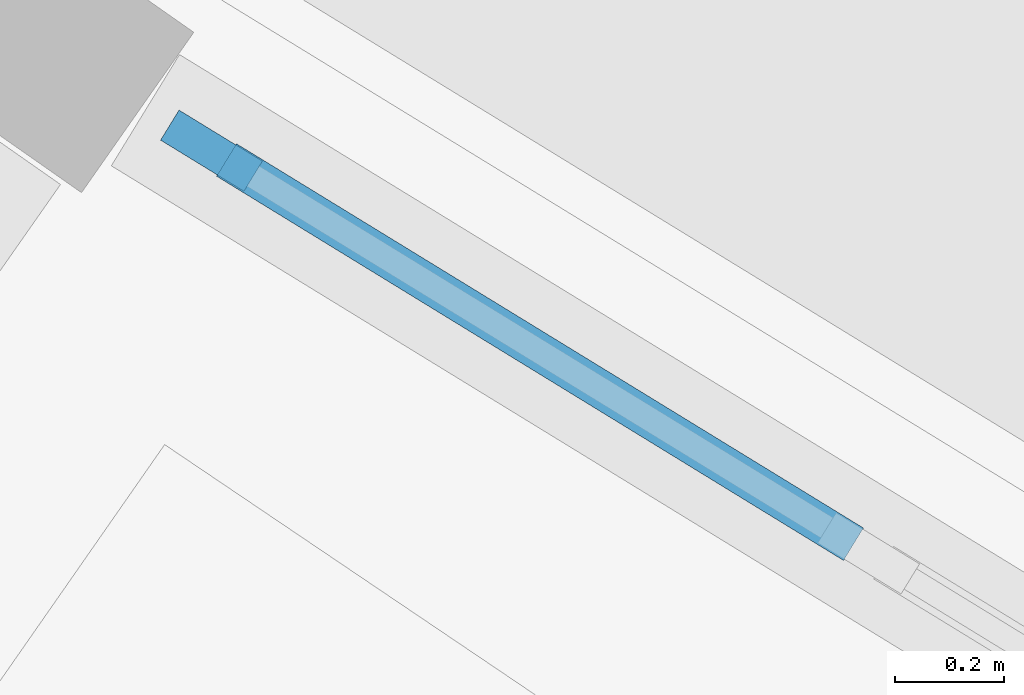
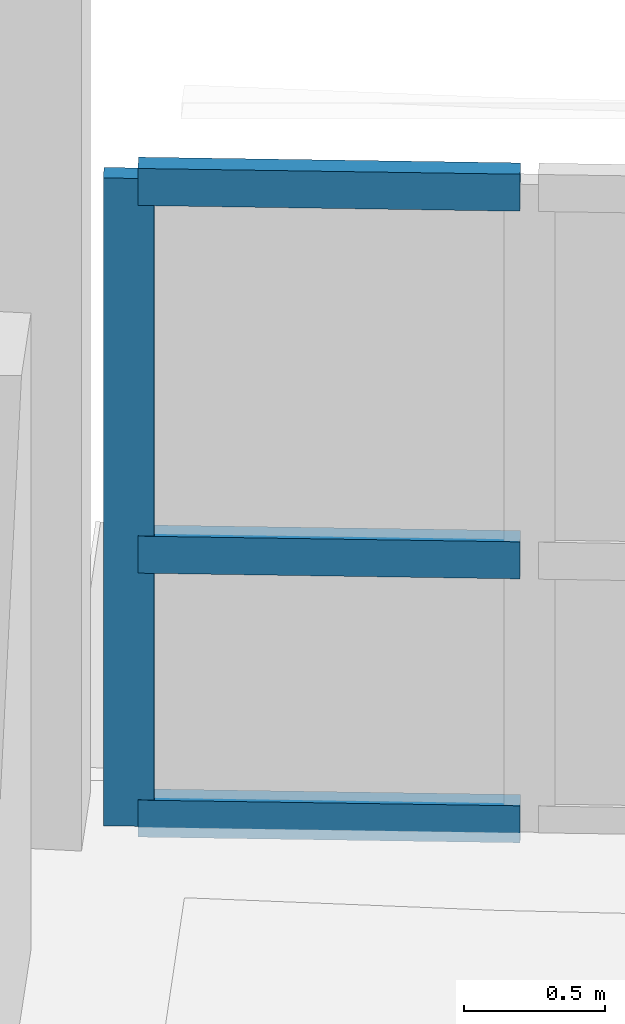
# One storey, part 14 of 36: 4 members, 1 element without a shape of its own.
"""IFC4 building model written with IfcOpenShell, lengths in metres."""

from ifc_helpers import new_model, si_unit, direction, frame, origin, origin_2d, place, context, subcontext, project, spatial, rectangle, extrude, material, layer, layer_set, material_profile, profile_set, type_object, element, aggregate, save


model = new_model("IFC4")

# Units and contexts
model_context = context("Model", 3, precision=1e-05, world=origin(), true_north=direction((0.0, 1.0)))
body_context = subcontext(model_context, "Body", "Model", "MODEL_VIEW")
ifc_project = project(units=[si_unit("LENGTHUNIT", "METRE"), si_unit("AREAUNIT", "SQUARE_METRE"), si_unit("VOLUMEUNIT", "CUBIC_METRE"), si_unit("PLANEANGLEUNIT", "RADIAN"), si_unit("MASSUNIT", "GRAM", prefix="KILO")], contexts=[model_context])

# Site, building, storey
site_placement = place(None, origin())
site = spatial("IfcSite", under=ifc_project, at=site_placement, CompositionType="ELEMENT")
building_placement = place(site_placement, origin())
building = spatial("IfcBuilding", under=site, at=building_placement, Name="Caldaven Crescent School", CompositionType="ELEMENT")
storey_placement = place(building_placement, frame((0.0, 0.0, 11.89990234375)))
storey = spatial("IfcBuildingStorey", under=building, at=storey_placement, Name="L03", CompositionType="ELEMENT", Elevation=11.89990234375)

# Curtain wall, members
ifc_material_1 = material(Name="Anodised aluminium AA 6063-T6 and low-E double glazing", Category="aluminium")
ifc_layer = layer(ifc_material_1, 0.169921875)
ifc_layer_set = layer_set([ifc_layer], Name="Anodised aluminium AA 6063-T6 and low-E double glazing")
curtain_wall_type = type_object("IfcCurtainWallType", Name="CW-SYS1", PredefinedType="NOTDEFINED", material=ifc_layer_set)
curtain_wall_placement = place(storey_placement, origin())
curtain_wall = element("IfcCurtainWall", 1, at=curtain_wall_placement, inside=storey, type_object=curtain_wall_type, Name="CW-L03-153", PredefinedType="NOTDEFINED")
ifc_material_2 = material(Name="Anodised aluminium AA 6063-T6", Category="aluminium")
ifc_material_profile_1 = material_profile(ifc_material_2, rectangle(XDim=0.06494140625, YDim=0.179931640625, at=origin_2d()), Name="CWM 65x180")
ifc_profile_set_1 = profile_set([ifc_material_profile_1], Name="Anodised aluminium AA 6063-T6")
member_type_1 = type_object("IfcMemberType", Name="CWM-T2", PredefinedType="MULLION", material=ifc_profile_set_1)
member_1_placement = place(storey_placement, frame((58.199462890625, 52.86181640625, 0.0), z_axis=(0.0, 0.0, 1.0), x_axis=(0.522499392879, 0.852639656854, 0.0)))
member_1 = element("IfcMember", 2, at=member_1_placement, type_object=member_type_1, Name="CW1 mullion 1", PredefinedType="MULLION", context=body_context, shape_type="SweptSolid", body=[
    extrude(rectangle(XDim=0.06494140625, YDim=0.179931640625, at=origin_2d()), origin(), (0.0, 0.0, 1.0), 2.800048828125),
])
ifc_material_profile_2 = material_profile(ifc_material_2, rectangle(XDim=0.070068359375, YDim=0.159912109375, at=origin_2d()), Name="CWT 70x160")
ifc_profile_set_2 = profile_set([ifc_material_profile_2], Name="Anodised aluminium AA 6063-T6")
member_type_2 = type_object("IfcMemberType", Name="CWT-T3", PredefinedType="USERDEFINED", material=ifc_profile_set_2)
member_2_placement = place(storey_placement, frame((58.22705078125, 52.8447265625, 0.03515625), z_axis=(0.852616806019, -0.522536680143, 0.0), x_axis=(0.522536680143, 0.852616806019, 0.0)))
member_2 = element("IfcMember", 3, at=member_2_placement, type_object=member_type_2, Name="CW1 transom 1.1", ObjectType="TRANSOM", PredefinedType="USERDEFINED", context=body_context, shape_type="SweptSolid", body=[
    extrude(rectangle(XDim=0.070068359375, YDim=0.159912109375, at=origin_2d()), origin(), (0.0, 0.0, 1.0), 1.353515625),
])
member_3_placement = place(storey_placement, frame((58.22705078125, 52.8447265625, 1.176025390625), z_axis=(0.852616806019, -0.522536680143, 0.0), x_axis=(0.522536680143, 0.852616806019, 0.0)))
member_3 = element("IfcMember", 4, at=member_3_placement, type_object=member_type_2, Name="CW1 transom 1.2", ObjectType="TRANSOM", PredefinedType="USERDEFINED", context=body_context, shape_type="SweptSolid", body=[
    extrude(rectangle(XDim=0.070068359375, YDim=0.159912109375, at=origin_2d()), origin(), (0.0, 0.0, 1.0), 1.353515625),
])
member_4_placement = place(storey_placement, frame((58.22705078125, 52.8447265625, 2.76513671875), z_axis=(0.852616806019, -0.522536680143, 0.0), x_axis=(0.522536680143, 0.852616806019, 0.0)))
member_4 = element("IfcMember", 5, at=member_4_placement, type_object=member_type_2, Name="CW1 transom 1.3", ObjectType="TRANSOM", PredefinedType="USERDEFINED", context=body_context, shape_type="SweptSolid", body=[
    extrude(rectangle(XDim=0.070068359375, YDim=0.159912109375, at=origin_2d()), origin(), (0.0, 0.0, 1.0), 1.353515625),
])
aggregate(curtain_wall, [member_1, member_2, member_3, member_4])

save(model, "model.ifc")
